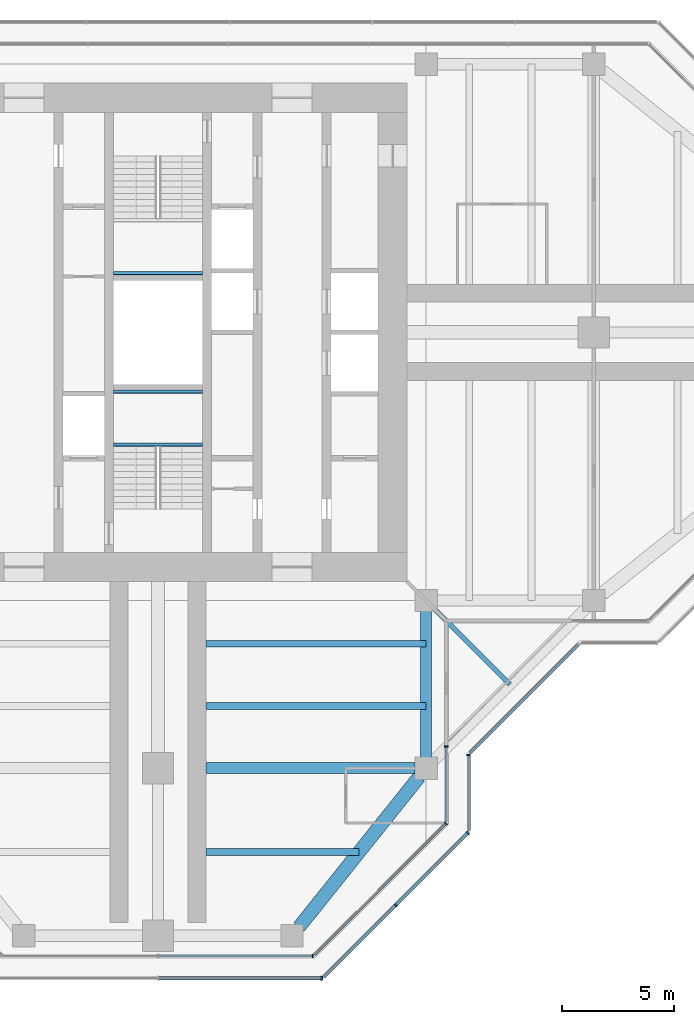
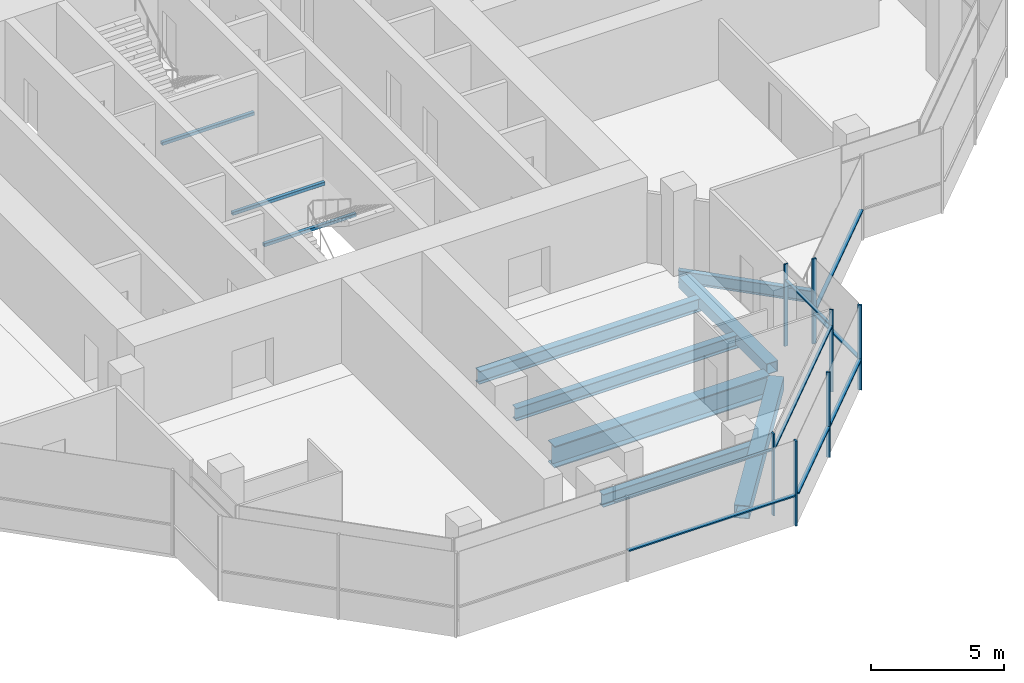
# One storey, part 4 of 15: 15 members, 10 beams, 7 elements without a shape of their own.
"""IFC4 building model written with IfcOpenShell, lengths in metres."""

from ifc_helpers import new_model, si_unit, direction, frame, origin, origin_2d, place, context, subcontext, project, spatial, rectangle, hollow_rectangle, i_section, extrude, material, material_profile, profile_set, type_object, element, aggregate, save


model = new_model("IFC4")

# Units and contexts
model_context = context("Model", 3, precision=1e-05, world=origin(), true_north=direction((0.0, 1.0)))
body_context = subcontext(model_context, "Body", "Model", "MODEL_VIEW")
ifc_project = project(units=[si_unit("LENGTHUNIT", "METRE"), si_unit("AREAUNIT", "SQUARE_METRE"), si_unit("VOLUMEUNIT", "CUBIC_METRE"), si_unit("PLANEANGLEUNIT", "RADIAN"), si_unit("MASSUNIT", "GRAM", prefix="KILO")], contexts=[model_context])

# Site, building, storey
site_placement = place(None, origin())
site = spatial("IfcSite", under=ifc_project, at=site_placement, CompositionType="ELEMENT")
building_placement = place(site_placement, origin())
building = spatial("IfcBuilding", under=site, at=building_placement, Name="Mizan Broadcast Tower", CompositionType="ELEMENT")
storey_placement = place(building_placement, frame((0.0, 0.0, 298.5)))
storey = spatial("IfcBuildingStorey", under=building, at=storey_placement, Name="L71", CompositionType="ELEMENT", Elevation=298.5)

# Beams
ifc_material_1 = material(Name="Steel S355", Category="steel")
ifc_material_profile_1 = material_profile(ifc_material_1, hollow_rectangle(XDim=0.5, YDim=0.5, WallThickness=0.030029296875, at=origin_2d()), Name="BOX 500x500x30")
ifc_profile_set_1 = profile_set([ifc_material_profile_1], Name="Steel S355")
beam_type_1 = type_object("IfcBeamType", Name="EDGE BEAM BOX 500x500x30", PredefinedType="SPANDREL", material=ifc_profile_set_1)
beam_1_placement = place(storey_placement, frame((12.0, -12.449951171875, -0.3798828125), z_axis=(0.0, -1.0, 0.0), x_axis=(1.0, 0.0, 0.0)))
element("IfcBeam", 1, at=beam_1_placement, inside=storey, type_object=beam_type_1, Name="Edge beam BOX 500x500x30 L71 south arm", PredefinedType="SPANDREL", context=body_context, shape_type="SweptSolid", body=[
    extrude(hollow_rectangle(XDim=0.5, YDim=0.5, WallThickness=0.030029296875, at=origin_2d()), origin(), (0.0, 0.0, 1.0), 6.60009765625),
])
ifc_material_2 = material(Name="Steel S355", Category="steel")
ifc_material_profile_2 = material_profile(ifc_material_2, hollow_rectangle(XDim=0.60009765625, YDim=0.60009765625, WallThickness=0.030029296875, at=origin_2d()), Name="BOX 600x600x30")
ifc_profile_set_2 = profile_set([ifc_material_profile_2], Name="Steel S355")
beam_type_2 = type_object("IfcBeamType", Name="EDGE BEAM BOX 600x600x30", PredefinedType="SPANDREL", material=ifc_profile_set_2)
beam_2_placement = place(storey_placement, frame((11.687744140625, -19.890380859375, -0.429931640625), z_axis=(-0.62470196761, -0.780863273348, 0.0), x_axis=(0.780863273348, -0.62470196761, 0.0)))
element("IfcBeam", 2, at=beam_2_placement, inside=storey, type_object=beam_type_2, Name="Edge beam BOX 600x600x30 L71 south arm", PredefinedType="SPANDREL", context=body_context, shape_type="SweptSolid", body=[
    extrude(hollow_rectangle(XDim=0.60009765625, YDim=0.60009765625, WallThickness=0.030029296875, at=origin_2d()), origin(), (0.0, 0.0, 1.0), 8.60498046875),
])
ifc_material_3 = material(Name="Steel S460", Category="steel")
ifc_material_profile_3 = material_profile(ifc_material_3, i_section(OverallWidth=0.5, OverallDepth=1.0, WebThickness=0.02490234375, FlangeThickness=0.050048828125, at=origin_2d()), Name="WPG 1000x500")
ifc_profile_set_3 = profile_set([ifc_material_profile_3], Name="Steel S460")
beam_type_3 = type_object("IfcBeamType", Name="GIRDER WPG 1000x500", PredefinedType="BEAM", material=ifc_profile_set_3)
beam_3_placement = place(storey_placement, frame((11.5, -19.5, -0.6298828125), z_axis=(-1.0, 0.0, 0.0), x_axis=(0.0, -1.0, 0.0)))
element("IfcBeam", 3, at=beam_3_placement, inside=storey, type_object=beam_type_3, Name="Girder WPG 1000x500 L71 south arm", PredefinedType="BEAM", context=body_context, shape_type="SweptSolid", body=[
    extrude(i_section(OverallWidth=0.5, OverallDepth=1.0, WebThickness=0.02490234375, FlangeThickness=0.050048828125, at=origin_2d()), origin(), (0.0, 0.0, 1.0), 9.35009765625),
])

# Curtain wall, member
ifc_material_4 = material(Name="Aluminium framed glazing", Category="aluminium")
curtain_wall_type_1 = type_object("IfcCurtainWallType", Name="INNER SKIN TOP ZONE", PredefinedType="USERDEFINED", material=ifc_material_4)
curtain_wall_1_placement = place(storey_placement, origin())
curtain_wall_1 = element("IfcCurtainWall", 4, at=curtain_wall_1_placement, inside=storey, type_object=curtain_wall_type_1, Name="Inner skin top zone L71 S end", ObjectType="INNER SKIN TOP ZONE", PredefinedType="USERDEFINED")
ifc_material_5 = material(Name="Aluminium, pale anodised", Category="aluminium")
ifc_material_profile_4 = material_profile(ifc_material_5, rectangle(XDim=0.159912109375, YDim=0.06005859375, at=origin_2d()), Name="MULLION 160x60")
ifc_profile_set_4 = profile_set([ifc_material_profile_4], Name="Aluminium, pale anodised")
member_type_1 = type_object("IfcMemberType", Name="INNER SKIN MULLION 60x160", PredefinedType="MULLION", material=ifc_profile_set_4)
member_1_placement = place(storey_placement, frame((6.928466796875, -27.89990234375, 0.0), z_axis=(0.0, 0.0, 1.0), x_axis=(0.0, 1.0, 0.0)))
member_1 = element("IfcMember", 5, at=member_1_placement, type_object=member_type_1, Name="Inner skin top zone L71 S end mullion 3", PredefinedType="MULLION", context=body_context, shape_type="SweptSolid", body=[
    extrude(rectangle(XDim=0.159912109375, YDim=0.06005859375, at=origin_2d()), origin(), (0.0, 0.0, 1.0), 3.77001953125),
])

curtain_wall_2_placement = place(storey_placement, origin())
curtain_wall_2 = element("IfcCurtainWall", 6, at=curtain_wall_2_placement, inside=storey, type_object=curtain_wall_type_1, Name="Inner skin top zone L71 S chamfer", ObjectType="INNER SKIN TOP ZONE", PredefinedType="USERDEFINED")
member_2_placement = place(storey_placement, frame((12.87890625, -21.979736328125, 0.0), z_axis=(0.0, 0.0, 1.0), x_axis=(-0.707106781187, 0.707106781187, 0.0)))
member_2 = element("IfcMember", 7, at=member_2_placement, type_object=member_type_1, Name="Inner skin top zone L71 S chamfer mullion 2", PredefinedType="MULLION", context=body_context, shape_type="SweptSolid", body=[
    extrude(rectangle(XDim=0.159912109375, YDim=0.06005859375, at=origin_2d()), origin(), (0.0, 0.0, 1.0), 3.77001953125),
])

curtain_wall_3_placement = place(storey_placement, origin())
curtain_wall_3 = element("IfcCurtainWall", 8, at=curtain_wall_3_placement, inside=storey, type_object=curtain_wall_type_1, Name="Inner skin top zone L71 S side", ObjectType="INNER SKIN TOP ZONE", PredefinedType="USERDEFINED")
member_3_placement = place(storey_placement, frame((12.89990234375, -18.530029296875, 0.0), z_axis=(0.0, 0.0, 1.0), x_axis=(-1.0, 0.0, 0.0)))
member_3 = element("IfcMember", 9, at=member_3_placement, type_object=member_type_1, Name="Inner skin top zone L71 S side mullion 2", PredefinedType="MULLION", context=body_context, shape_type="SweptSolid", body=[
    extrude(rectangle(XDim=0.159912109375, YDim=0.06005859375, at=origin_2d()), origin(), (0.0, 0.0, 1.0), 3.77001953125),
])

# Member
ifc_material_6 = material(Name="Aluminium, pale anodised", Category="aluminium")
ifc_material_profile_5 = material_profile(ifc_material_6, rectangle(XDim=0.1201171875, YDim=0.06005859375, at=origin_2d()), Name="TRANSOM 120x60")
ifc_profile_set_5 = profile_set([ifc_material_profile_5], Name="Aluminium, pale anodised")
member_type_2 = type_object("IfcMemberType", Name="INNER SKIN TRANSOM 60x120", PredefinedType="USERDEFINED", material=ifc_profile_set_5)
member_4_placement = place(storey_placement, frame((0.030029296875, -27.89990234375, 3.030029296875), z_axis=(1.0, 0.0, 0.0), x_axis=(0.0, 1.0, 0.0)))
member_4 = element("IfcMember", 10, at=member_4_placement, type_object=member_type_2, Name="Inner skin top zone L71 S end transom 2.1", ObjectType="TRANSOM", PredefinedType="USERDEFINED", context=body_context, shape_type="SweptSolid", body=[
    extrude(rectangle(XDim=0.1201171875, YDim=0.06005859375, at=origin_2d()), origin(), (0.0, 0.0, 1.0), 6.86865234375),
])

aggregate(curtain_wall_1, [member_1, member_4])

member_5_placement = place(storey_placement, frame((7.0009765625, -27.857666015625, 3.030029296875), z_axis=(0.707106781187, 0.707106781187, 0.0), x_axis=(-0.707106781187, 0.707106781187, 0.0)))
member_5 = element("IfcMember", 11, at=member_5_placement, type_object=member_type_2, Name="Inner skin top zone L71 S chamfer transom 1.1", ObjectType="TRANSOM", PredefinedType="USERDEFINED", context=body_context, shape_type="SweptSolid", body=[
    extrude(rectangle(XDim=0.1201171875, YDim=0.06005859375, at=origin_2d()), origin(), (0.0, 0.0, 1.0), 8.28271484375),
])

aggregate(curtain_wall_2, [member_2, member_5])

member_6_placement = place(storey_placement, frame((12.89990234375, -21.898681640625, 3.030029296875), z_axis=(0.0, 1.0, 0.0), x_axis=(-1.0, 0.0, 0.0)))
member_6 = element("IfcMember", 12, at=member_6_placement, type_object=member_type_2, Name="Inner skin top zone L71 S side transom 1.1", ObjectType="TRANSOM", PredefinedType="USERDEFINED", context=body_context, shape_type="SweptSolid", body=[
    extrude(rectangle(XDim=0.1201171875, YDim=0.06005859375, at=origin_2d()), origin(), (0.0, 0.0, 1.0), 3.338623046875),
])

aggregate(curtain_wall_3, [member_3, member_6])

# Beams
ifc_material_7 = material(Name="Steel S355", Category="steel")
ifc_material_profile_6 = material_profile(ifc_material_7, hollow_rectangle(XDim=0.14990234375, YDim=0.14990234375, WallThickness=0.008056640625, InnerFilletRadius=0.008056640625, OuterFilletRadius=0.011962890625, at=origin_2d()), Name="SHS 150x150x8")
ifc_profile_set_6 = profile_set([ifc_material_profile_6], Name="Steel S355")
beam_type_4 = type_object("IfcBeamType", Name="LANDING TRIMMER SHS 150x150x8", PredefinedType="BEAM", material=ifc_profile_set_6)
for number, where, z_axis, x_axis, name in (
    (13, (-2.0, -5.02490234375, 1.675048828125), (1.0, 0.0, 0.0), (0.0, 1.0, 0.0), "Stair A landing trimmer L71"),
    (14, (-2.0, -2.64990234375, 1.675048828125), (1.0, 0.0, 0.0), (0.0, 1.0, 0.0), "Stair A landing trimmer L71"),
    (15, (2.0, 2.64990234375, 1.675048828125), (-1.0, 0.0, 0.0), (0.0, -1.0, 0.0), "Stair B landing trimmer L71"),
):
    element("IfcBeam", number, at=place(storey_placement, frame(where, z_axis=z_axis, x_axis=x_axis)), inside=storey, type_object=beam_type_4, Name=name, PredefinedType="BEAM", context=body_context, shape_type="SweptSolid", body=[
        extrude(hollow_rectangle(XDim=0.14990234375, YDim=0.14990234375, WallThickness=0.008056640625, InnerFilletRadius=0.008056640625, OuterFilletRadius=0.011962890625, at=origin_2d()), origin(), (0.0, 0.0, 1.0), 4.0),
    ])

# Curtain wall, member
ifc_material_8 = material(Name="Aluminium framed glazing", Category="aluminium")
curtain_wall_type_2 = type_object("IfcCurtainWallType", Name="OUTER SKIN", PredefinedType="USERDEFINED", material=ifc_material_8)
curtain_wall_4_placement = place(storey_placement, origin())
curtain_wall_4 = element("IfcCurtainWall", 16, at=curtain_wall_4_placement, inside=storey, type_object=curtain_wall_type_2, Name="Outer skin L71 S end", ObjectType="OUTER SKIN", PredefinedType="USERDEFINED")
ifc_material_9 = material(Name="Aluminium, pale anodised", Category="aluminium")
ifc_material_profile_7 = material_profile(ifc_material_9, rectangle(XDim=0.159912109375, YDim=0.080078125, at=origin_2d()), Name="MULLION 160x80")
ifc_profile_set_7 = profile_set([ifc_material_profile_7], Name="Aluminium, pale anodised")
member_type_3 = type_object("IfcMemberType", Name="OUTER SKIN MULLION 80x160", PredefinedType="MULLION", material=ifc_profile_set_7)
member_7_placement = place(storey_placement, frame((7.332763671875, -28.89990234375, 0.0), z_axis=(0.0, 0.0, 1.0), x_axis=(0.0, 1.0, 0.0)))
member_7 = element("IfcMember", 17, at=member_7_placement, type_object=member_type_3, Name="Outer skin L71 S end mullion 3", PredefinedType="MULLION", context=body_context, shape_type="SweptSolid", body=[
    extrude(rectangle(XDim=0.159912109375, YDim=0.080078125, at=origin_2d()), origin(), (0.0, 0.0, 1.0), 3.89990234375),
])

# Curtain wall, members
curtain_wall_5_placement = place(storey_placement, origin())
curtain_wall_5 = element("IfcCurtainWall", 18, at=curtain_wall_5_placement, inside=storey, type_object=curtain_wall_type_2, Name="Outer skin L71 S chamfer", ObjectType="OUTER SKIN", PredefinedType="USERDEFINED")
member_8_placement = place(storey_placement, frame((10.636474609375, -25.636474609375, 0.0), z_axis=(0.0, 0.0, 1.0), x_axis=(-0.707106781187, 0.707106781187, 0.0)))
member_8 = element("IfcMember", 19, at=member_8_placement, type_object=member_type_3, Name="Outer skin L71 S chamfer mullion 2", PredefinedType="MULLION", context=body_context, shape_type="SweptSolid", body=[
    extrude(rectangle(XDim=0.159912109375, YDim=0.080078125, at=origin_2d()), origin(), (0.0, 0.0, 1.0), 3.89990234375),
])
member_9_placement = place(storey_placement, frame((13.871826171875, -22.401123046875, 0.0), z_axis=(0.0, 0.0, 1.0), x_axis=(-0.707106781187, 0.707106781187, 0.0)))
member_9 = element("IfcMember", 20, at=member_9_placement, type_object=member_type_3, Name="Outer skin L71 S chamfer mullion 3", PredefinedType="MULLION", context=body_context, shape_type="SweptSolid", body=[
    extrude(rectangle(XDim=0.159912109375, YDim=0.080078125, at=origin_2d()), origin(), (0.0, 0.0, 1.0), 3.89990234375),
])

# Curtain wall, member
curtain_wall_6_placement = place(storey_placement, origin())
curtain_wall_6 = element("IfcCurtainWall", 21, at=curtain_wall_6_placement, inside=storey, type_object=curtain_wall_type_2, Name="Outer skin L71 S side", ObjectType="OUTER SKIN", PredefinedType="USERDEFINED")
member_10_placement = place(storey_placement, frame((13.89990234375, -18.912841796875, 0.0), z_axis=(0.0, 0.0, 1.0), x_axis=(-1.0, 0.0, 0.0)))
member_10 = element("IfcMember", 22, at=member_10_placement, type_object=member_type_3, Name="Outer skin L71 S side mullion 2", PredefinedType="MULLION", context=body_context, shape_type="SweptSolid", body=[
    extrude(rectangle(XDim=0.159912109375, YDim=0.080078125, at=origin_2d()), origin(), (0.0, 0.0, 1.0), 3.89990234375),
])

# Member
ifc_material_10 = material(Name="Aluminium, pale anodised", Category="aluminium")
ifc_material_profile_8 = material_profile(ifc_material_10, rectangle(XDim=0.159912109375, YDim=0.06005859375, at=origin_2d()), Name="TRANSOM 160x60")
ifc_profile_set_8 = profile_set([ifc_material_profile_8], Name="Aluminium, pale anodised")
member_type_4 = type_object("IfcMemberType", Name="OUTER SKIN TRANSOM 60x160", PredefinedType="USERDEFINED", material=ifc_profile_set_8)
member_11_placement = place(storey_placement, frame((0.0400390625, -28.89990234375, 1.39990234375), z_axis=(1.0, 0.0, 0.0), x_axis=(0.0, 1.0, 0.0)))
member_11 = element("IfcMember", 23, at=member_11_placement, type_object=member_type_4, Name="Outer skin L71 S end transom 2.1", ObjectType="TRANSOM", PredefinedType="USERDEFINED", context=body_context, shape_type="SweptSolid", body=[
    extrude(rectangle(XDim=0.159912109375, YDim=0.06005859375, at=origin_2d()), origin(), (0.0, 0.0, 1.0), 7.252685546875),
])

aggregate(curtain_wall_4, [member_7, member_11])

member_12_placement = place(storey_placement, frame((7.429443359375, -28.843505859375, 1.39990234375), z_axis=(0.707106781187, 0.707106781187, 0.0), x_axis=(-0.707106781187, 0.707106781187, 0.0)))
member_12 = element("IfcMember", 24, at=member_12_placement, type_object=member_type_4, Name="Outer skin L71 S chamfer transom 1.1", ObjectType="TRANSOM", PredefinedType="USERDEFINED", context=body_context, shape_type="SweptSolid", body=[
    extrude(rectangle(XDim=0.159912109375, YDim=0.06005859375, at=origin_2d()), origin(), (0.0, 0.0, 1.0), 4.495361328125),
])

member_13_placement = place(storey_placement, frame((10.664794921875, -25.608154296875, 1.39990234375), z_axis=(0.707106781187, 0.707106781187, 0.0), x_axis=(-0.707106781187, 0.707106781187, 0.0)))
member_13 = element("IfcMember", 25, at=member_13_placement, type_object=member_type_4, Name="Outer skin L71 S chamfer transom 2.1", ObjectType="TRANSOM", PredefinedType="USERDEFINED", context=body_context, shape_type="SweptSolid", body=[
    extrude(rectangle(XDim=0.159912109375, YDim=0.06005859375, at=origin_2d()), origin(), (0.0, 0.0, 1.0), 4.495361328125),
])

aggregate(curtain_wall_5, [member_8, member_9, member_12, member_13])

member_14_placement = place(storey_placement, frame((13.89990234375, -22.292724609375, 1.39990234375), z_axis=(0.0, 1.0, 0.0), x_axis=(-1.0, 0.0, 0.0)))
member_14 = element("IfcMember", 26, at=member_14_placement, type_object=member_type_4, Name="Outer skin L71 S side transom 1.1", ObjectType="TRANSOM", PredefinedType="USERDEFINED", context=body_context, shape_type="SweptSolid", body=[
    extrude(rectangle(XDim=0.159912109375, YDim=0.06005859375, at=origin_2d()), origin(), (0.0, 0.0, 1.0), 3.33984375),
])

aggregate(curtain_wall_6, [member_10, member_14])

# Curtain wall, member
curtain_wall_7_placement = place(storey_placement, origin())
curtain_wall_7 = element("IfcCurtainWall", 27, at=curtain_wall_7_placement, inside=storey, type_object=curtain_wall_type_2, Name="Outer skin L71 E chamfer", ObjectType="OUTER SKIN", PredefinedType="USERDEFINED")
member_15_placement = place(storey_placement, frame((13.95654296875, -18.816162109375, 1.39990234375), z_axis=(0.707106781187, 0.707106781187, 0.0), x_axis=(-0.707106781187, 0.707106781187, 0.0)))
member_15 = element("IfcMember", 28, at=member_15_placement, type_object=member_type_4, Name="Outer skin L71 E chamfer transom 1.1", ObjectType="TRANSOM", PredefinedType="USERDEFINED", context=body_context, shape_type="SweptSolid", body=[
    extrude(rectangle(XDim=0.159912109375, YDim=0.06005859375, at=origin_2d()), origin(), (0.0, 0.0, 1.0), 6.87255859375),
])
aggregate(curtain_wall_7, [member_15])

# Beams
ifc_material_11 = material(Name="Steel S355", Category="steel")
ifc_material_profile_9 = material_profile(ifc_material_11, i_section(OverallWidth=0.300048828125, OverallDepth=0.590087890625, WebThickness=0.012939453125, FlangeThickness=0.02490234375, FilletRadius=0.027099609375, at=origin_2d()), Name="HEA 600")
ifc_profile_set_9 = profile_set([ifc_material_profile_9], Name="Steel S355")
beam_type_5 = type_object("IfcBeamType", Name="SECONDARY BEAM HEA 600", PredefinedType="JOIST", material=ifc_profile_set_9)
for number, where, z_axis, x_axis, name in (
    (29, (12.0, -13.933349609375, -0.425048828125), (-1.0, 0.0, 0.0), (0.0, -1.0, 0.0), "Secondary beam HEA 600 L71 south arm"),
    (30, (12.0, -16.716552734375, -0.425048828125), (-1.0, 0.0, 0.0), (0.0, -1.0, 0.0), "Secondary beam HEA 600 L71 south arm"),
):
    element("IfcBeam", number, at=place(storey_placement, frame(where, z_axis=z_axis, x_axis=x_axis)), inside=storey, type_object=beam_type_5, Name=name, PredefinedType="JOIST", context=body_context, shape_type="SweptSolid", body=[
        extrude(i_section(OverallWidth=0.300048828125, OverallDepth=0.590087890625, WebThickness=0.012939453125, FlangeThickness=0.02490234375, FilletRadius=0.027099609375, at=origin_2d()), origin(), (0.0, 0.0, 1.0), 9.85009765625),
    ])
beam_4_placement = place(storey_placement, frame((9.0, -23.25, -0.425048828125), z_axis=(-1.0, 0.0, 0.0), x_axis=(0.0, -1.0, 0.0)))
element("IfcBeam", 31, at=beam_4_placement, inside=storey, type_object=beam_type_5, Name="Secondary beam HEA 600 L71 south arm", PredefinedType="JOIST", context=body_context, shape_type="SweptSolid", body=[
    extrude(i_section(OverallWidth=0.300048828125, OverallDepth=0.590087890625, WebThickness=0.012939453125, FlangeThickness=0.02490234375, FilletRadius=0.027099609375, at=origin_2d()), origin(), (0.0, 0.0, 1.0), 6.85009765625),
])
ifc_material_12 = material(Name="Steel S355", Category="steel")
ifc_material_profile_10 = material_profile(ifc_material_12, i_section(OverallWidth=0.2099609375, OverallDepth=0.550048828125, WebThickness=0.010986328125, FlangeThickness=0.01708984375, FilletRadius=0.02392578125, at=origin_2d()), Name="IPE 550")
ifc_profile_set_10 = profile_set([ifc_material_profile_10], Name="Steel S355")
beam_type_6 = type_object("IfcBeamType", Name="SECONDARY BEAM IPE 550", PredefinedType="JOIST", material=ifc_profile_set_10)
beam_5_placement = place(storey_placement, frame((12.0, -12.0, -0.405029296875), z_axis=(0.707106781187, -0.707106781187, 0.0), x_axis=(0.707106781187, 0.707106781187, 0.0)))
element("IfcBeam", 32, at=beam_5_placement, inside=storey, type_object=beam_type_6, Name="Winter garden beam L71 S", PredefinedType="JOIST", context=body_context, shape_type="SweptSolid", body=[
    extrude(i_section(OverallWidth=0.2099609375, OverallDepth=0.550048828125, WebThickness=0.010986328125, FlangeThickness=0.01708984375, FilletRadius=0.02392578125, at=origin_2d()), origin(), (0.0, 0.0, 1.0), 5.30322265625),
])

save(model, "model.ifc")
